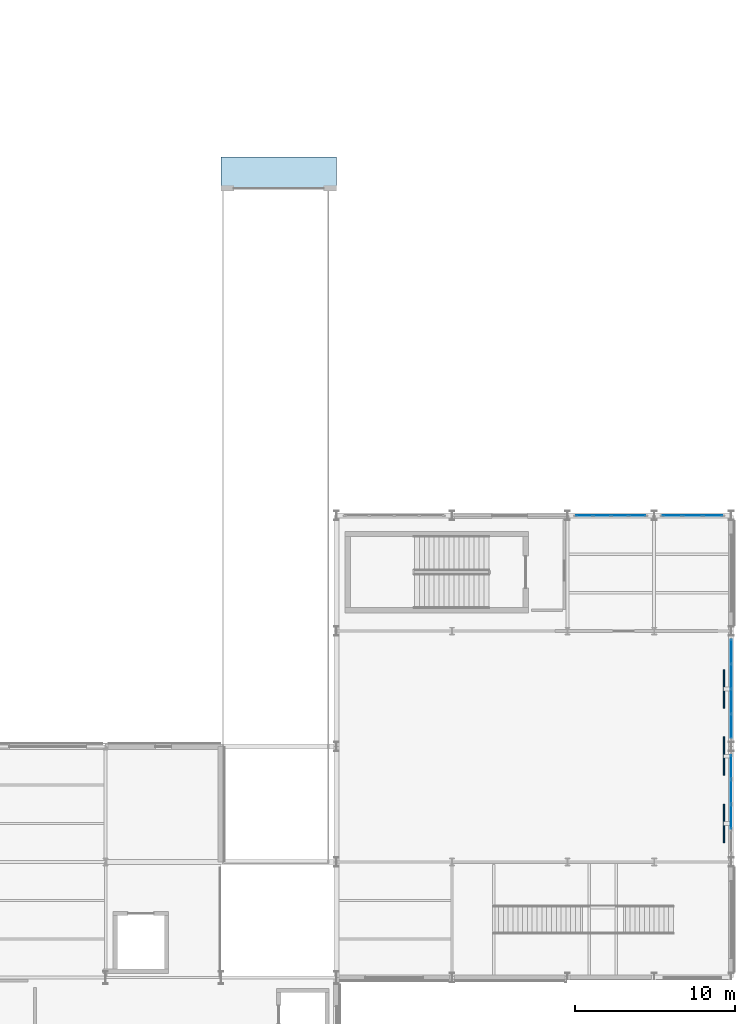
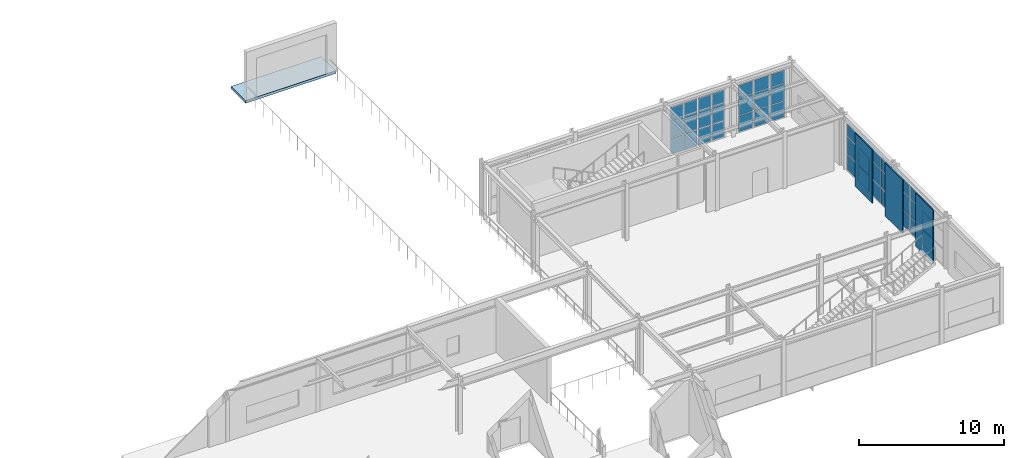
# One storey, part 54 of 83: 45 plates, 1 slab, 4 elements without a shape of their own.
"""IFC4 building model written with IfcOpenShell, lengths in metres."""

from ifc_helpers import new_model, si_unit, direction, frame, origin, origin_2d, place, context, subcontext, project, spatial, polyline, rectangle, outline, extrude, material, layer, layer_set, type_object, element, aggregate, save


model = new_model("IFC4")

# Units and contexts
model_context = context("Model", 3, precision=1e-05, world=origin(), true_north=direction((0.0, 1.0)))
body_context = subcontext(model_context, "Body", "Model", "MODEL_VIEW")
ifc_project = project(units=[si_unit("LENGTHUNIT", "METRE"), si_unit("AREAUNIT", "SQUARE_METRE"), si_unit("VOLUMEUNIT", "CUBIC_METRE"), si_unit("PLANEANGLEUNIT", "RADIAN"), si_unit("MASSUNIT", "GRAM", prefix="KILO")], contexts=[model_context])

# Site, building, storey
site_placement = place(None, origin())
site = spatial("IfcSite", under=ifc_project, at=site_placement, CompositionType="ELEMENT")
building_placement = place(site_placement, origin())
building = spatial("IfcBuilding", under=site, at=building_placement, Name="Solvadek Multi-Sports Hall", CompositionType="ELEMENT")
storey_placement = place(building_placement, origin())
storey = spatial("IfcBuildingStorey", under=building, at=storey_placement, Name="L00", CompositionType="ELEMENT", Elevation=0.0)

# Curtain wall, plates
ifc_material_1 = material(Name="Anodised aluminium", Category="aluminium")
ifc_layer_1 = layer(ifc_material_1, 0.159912109375, Name="Anodised aluminium")
ifc_layer_set_1 = layer_set([ifc_layer_1], Name="Anodised aluminium")
curtain_wall_type_1 = type_object("IfcCurtainWallType", Name="ENV-CW-444X408", PredefinedType="USERDEFINED", material=ifc_layer_set_1)
curtain_wall_1_placement = place(storey_placement, origin())
curtain_wall_1 = element("IfcCurtainWall", 1, at=curtain_wall_1_placement, inside=storey, type_object=curtain_wall_type_1, Name="L00 Perimeter Bay Curtain Wall #136", ObjectType="CURTAIN WALL", PredefinedType="USERDEFINED")
ifc_material_2 = material(Name="Tempered laminated low-E glass", Category="glass")
ifc_layer_2 = layer(ifc_material_2, 0.035888671875, Name="Tempered laminated low-E glass")
ifc_layer_set_2 = layer_set([ifc_layer_2], Name="Tempered laminated low-E glass")
plate_type_1 = type_object("IfcPlateType", Name="ENV-CWP-04", PredefinedType="CURTAIN_PANEL", material=ifc_layer_set_2)
plate_1_placement = place(storey_placement, frame((152.251220703125, 70.800048828125, 0.06494140625), z_axis=(0.0, 0.0, 1.0), x_axis=(1.0, 0.0, 0.0)))
plate_1 = element("IfcPlate", 2, at=plate_1_placement, type_object=plate_type_1, Name="CW-45 panel 1.1", PredefinedType="CURTAIN_PANEL", context=body_context, shape_type="SweptSolid", body=[
    extrude(rectangle(XDim=1.012451171875, YDim=0.035888671875, at=origin_2d()), origin(), (0.0, 0.0, 1.0), 1.32861328125),
])
plate_2_placement = place(storey_placement, frame((152.251220703125, 70.800048828125, 1.45849609375), z_axis=(0.0, 0.0, 1.0), x_axis=(1.0, 0.0, 0.0)))
plate_2 = element("IfcPlate", 3, at=plate_2_placement, type_object=plate_type_1, Name="CW-45 panel 1.2", PredefinedType="CURTAIN_PANEL", context=body_context, shape_type="SweptSolid", body=[
    extrude(rectangle(XDim=1.012451171875, YDim=0.035888671875, at=origin_2d()), origin(), (0.0, 0.0, 1.0), 1.443115234375),
])
plate_3_placement = place(storey_placement, frame((152.251220703125, 70.800048828125, 2.966552734375), z_axis=(0.0, 0.0, 1.0), x_axis=(1.0, 0.0, 0.0)))
plate_3 = element("IfcPlate", 4, at=plate_3_placement, type_object=plate_type_1, Name="CW-45 panel 1.3", PredefinedType="CURTAIN_PANEL", context=body_context, shape_type="SweptSolid", body=[
    extrude(rectangle(XDim=1.012451171875, YDim=0.035888671875, at=origin_2d()), origin(), (0.0, 0.0, 1.0), 1.04345703125),
])
plate_4_placement = place(storey_placement, frame((153.344970703125, 70.800048828125, 0.06494140625), z_axis=(0.0, 0.0, 1.0), x_axis=(1.0, 0.0, 0.0)))
plate_4 = element("IfcPlate", 5, at=plate_4_placement, type_object=plate_type_1, Name="CW-45 panel 2.1", PredefinedType="CURTAIN_PANEL", context=body_context, shape_type="SweptSolid", body=[
    extrude(rectangle(XDim=1.044921875, YDim=0.035888671875, at=origin_2d()), origin(), (0.0, 0.0, 1.0), 1.32861328125),
])
plate_5_placement = place(storey_placement, frame((153.344970703125, 70.800048828125, 1.45849609375), z_axis=(0.0, 0.0, 1.0), x_axis=(1.0, 0.0, 0.0)))
plate_5 = element("IfcPlate", 6, at=plate_5_placement, type_object=plate_type_1, Name="CW-45 panel 2.2", PredefinedType="CURTAIN_PANEL", context=body_context, shape_type="SweptSolid", body=[
    extrude(rectangle(XDim=1.044921875, YDim=0.035888671875, at=origin_2d()), origin(), (0.0, 0.0, 1.0), 1.443115234375),
])
plate_6_placement = place(storey_placement, frame((153.344970703125, 70.800048828125, 2.966552734375), z_axis=(0.0, 0.0, 1.0), x_axis=(1.0, 0.0, 0.0)))
plate_6 = element("IfcPlate", 7, at=plate_6_placement, type_object=plate_type_1, Name="CW-45 panel 2.3", PredefinedType="CURTAIN_PANEL", context=body_context, shape_type="SweptSolid", body=[
    extrude(rectangle(XDim=1.044921875, YDim=0.035888671875, at=origin_2d()), origin(), (0.0, 0.0, 1.0), 1.04345703125),
])
plate_7_placement = place(storey_placement, frame((154.455078125, 70.800048828125, 0.06494140625), z_axis=(0.0, 0.0, 1.0), x_axis=(1.0, 0.0, 0.0)))
plate_7 = element("IfcPlate", 8, at=plate_7_placement, type_object=plate_type_1, Name="CW-45 panel 3.1", PredefinedType="CURTAIN_PANEL", context=body_context, shape_type="SweptSolid", body=[
    extrude(rectangle(XDim=1.044921875, YDim=0.035888671875, at=origin_2d()), origin(), (0.0, 0.0, 1.0), 1.32861328125),
])
plate_8_placement = place(storey_placement, frame((154.455078125, 70.800048828125, 1.45849609375), z_axis=(0.0, 0.0, 1.0), x_axis=(1.0, 0.0, 0.0)))
plate_8 = element("IfcPlate", 9, at=plate_8_placement, type_object=plate_type_1, Name="CW-45 panel 3.2", PredefinedType="CURTAIN_PANEL", context=body_context, shape_type="SweptSolid", body=[
    extrude(rectangle(XDim=1.044921875, YDim=0.035888671875, at=origin_2d()), origin(), (0.0, 0.0, 1.0), 1.443115234375),
])
plate_9_placement = place(storey_placement, frame((154.455078125, 70.800048828125, 2.966552734375), z_axis=(0.0, 0.0, 1.0), x_axis=(1.0, 0.0, 0.0)))
plate_9 = element("IfcPlate", 10, at=plate_9_placement, type_object=plate_type_1, Name="CW-45 panel 3.3", PredefinedType="CURTAIN_PANEL", context=body_context, shape_type="SweptSolid", body=[
    extrude(rectangle(XDim=1.044921875, YDim=0.035888671875, at=origin_2d()), origin(), (0.0, 0.0, 1.0), 1.04345703125),
])
plate_10_placement = place(storey_placement, frame((155.548828125, 70.800048828125, 0.06494140625), z_axis=(0.0, 0.0, 1.0), x_axis=(1.0, 0.0, 0.0)))
plate_10 = element("IfcPlate", 11, at=plate_10_placement, type_object=plate_type_1, Name="CW-45 panel 4.1", PredefinedType="CURTAIN_PANEL", context=body_context, shape_type="SweptSolid", body=[
    extrude(rectangle(XDim=1.012451171875, YDim=0.035888671875, at=origin_2d()), origin(), (0.0, 0.0, 1.0), 1.32861328125),
])
plate_11_placement = place(storey_placement, frame((155.548828125, 70.800048828125, 1.45849609375), z_axis=(0.0, 0.0, 1.0), x_axis=(1.0, 0.0, 0.0)))
plate_11 = element("IfcPlate", 12, at=plate_11_placement, type_object=plate_type_1, Name="CW-45 panel 4.2", PredefinedType="CURTAIN_PANEL", context=body_context, shape_type="SweptSolid", body=[
    extrude(rectangle(XDim=1.012451171875, YDim=0.035888671875, at=origin_2d()), origin(), (0.0, 0.0, 1.0), 1.443115234375),
])
plate_12_placement = place(storey_placement, frame((155.548828125, 70.800048828125, 2.966552734375), z_axis=(0.0, 0.0, 1.0), x_axis=(1.0, 0.0, 0.0)))
plate_12 = element("IfcPlate", 13, at=plate_12_placement, type_object=plate_type_1, Name="CW-45 panel 4.3", PredefinedType="CURTAIN_PANEL", context=body_context, shape_type="SweptSolid", body=[
    extrude(rectangle(XDim=1.012451171875, YDim=0.035888671875, at=origin_2d()), origin(), (0.0, 0.0, 1.0), 1.04345703125),
])
aggregate(curtain_wall_1, [plate_1, plate_2, plate_3, plate_4, plate_5, plate_6, plate_7, plate_8, plate_9, plate_10, plate_11, plate_12])

ifc_layer_3 = layer(ifc_material_1, 0.159912109375, Name="Anodised aluminium")
ifc_layer_set_3 = layer_set([ifc_layer_3], Name="Anodised aluminium")
curtain_wall_type_2 = type_object("IfcCurtainWallType", Name="ENV-CW-384X405", PredefinedType="USERDEFINED", material=ifc_layer_set_3)
curtain_wall_2_placement = place(storey_placement, origin())
curtain_wall_2 = element("IfcCurtainWall", 14, at=curtain_wall_2_placement, inside=storey, type_object=curtain_wall_type_2, Name="L00 Perimeter Bay Curtain Wall #140", ObjectType="CURTAIN WALL", PredefinedType="USERDEFINED")
ifc_layer_4 = layer(ifc_material_2, 0.0419921875, Name="Tempered laminated low-E glass")
ifc_layer_set_4 = layer_set([ifc_layer_4], Name="Tempered laminated low-E glass")
plate_type_2 = type_object("IfcPlateType", Name="ENV-CWP-05", PredefinedType="CURTAIN_PANEL", material=ifc_layer_set_4)
plate_13_placement = place(storey_placement, frame((157.737548828125, 70.800048828125, 0.06005859375), z_axis=(0.0, 0.0, 1.0), x_axis=(1.0, 0.0, 0.0)))
plate_13 = element("IfcPlate", 15, at=plate_13_placement, type_object=plate_type_2, Name="CW-48 panel 1.1", PredefinedType="CURTAIN_PANEL", context=body_context, shape_type="SweptSolid", body=[
    extrude(rectangle(XDim=1.175048828125, YDim=0.0419921875, at=origin_2d()), origin(), (0.0, 0.0, 1.0), 1.326904296875),
])
plate_14_placement = place(storey_placement, frame((157.737548828125, 70.800048828125, 1.447021484375), z_axis=(0.0, 0.0, 1.0), x_axis=(1.0, 0.0, 0.0)))
plate_14 = element("IfcPlate", 16, at=plate_14_placement, type_object=plate_type_2, Name="CW-48 panel 1.2", PredefinedType="CURTAIN_PANEL", context=body_context, shape_type="SweptSolid", body=[
    extrude(rectangle(XDim=1.175048828125, YDim=0.0419921875, at=origin_2d()), origin(), (0.0, 0.0, 1.0), 1.43896484375),
])
plate_15_placement = place(storey_placement, frame((157.737548828125, 70.800048828125, 2.946044921875), z_axis=(0.0, 0.0, 1.0), x_axis=(1.0, 0.0, 0.0)))
plate_15 = element("IfcPlate", 17, at=plate_15_placement, type_object=plate_type_2, Name="CW-48 panel 1.3", PredefinedType="CURTAIN_PANEL", context=body_context, shape_type="SweptSolid", body=[
    extrude(rectangle(XDim=1.175048828125, YDim=0.0419921875, at=origin_2d()), origin(), (0.0, 0.0, 1.0), 1.0439453125),
])
plate_16_placement = place(storey_placement, frame((159.0, 70.800048828125, 0.06005859375), z_axis=(0.0, 0.0, 1.0), x_axis=(1.0, 0.0, 0.0)))
plate_16 = element("IfcPlate", 18, at=plate_16_placement, type_object=plate_type_2, Name="CW-48 panel 2.1", PredefinedType="CURTAIN_PANEL", context=body_context, shape_type="SweptSolid", body=[
    extrude(rectangle(XDim=1.2099609375, YDim=0.0419921875, at=origin_2d()), origin(), (0.0, 0.0, 1.0), 1.326904296875),
])
plate_17_placement = place(storey_placement, frame((159.0, 70.800048828125, 1.447021484375), z_axis=(0.0, 0.0, 1.0), x_axis=(1.0, 0.0, 0.0)))
plate_17 = element("IfcPlate", 19, at=plate_17_placement, type_object=plate_type_2, Name="CW-48 panel 2.2", PredefinedType="CURTAIN_PANEL", context=body_context, shape_type="SweptSolid", body=[
    extrude(rectangle(XDim=1.2099609375, YDim=0.0419921875, at=origin_2d()), origin(), (0.0, 0.0, 1.0), 1.43896484375),
])
plate_18_placement = place(storey_placement, frame((159.0, 70.800048828125, 2.946044921875), z_axis=(0.0, 0.0, 1.0), x_axis=(1.0, 0.0, 0.0)))
plate_18 = element("IfcPlate", 20, at=plate_18_placement, type_object=plate_type_2, Name="CW-48 panel 2.3", PredefinedType="CURTAIN_PANEL", context=body_context, shape_type="SweptSolid", body=[
    extrude(rectangle(XDim=1.2099609375, YDim=0.0419921875, at=origin_2d()), origin(), (0.0, 0.0, 1.0), 1.0439453125),
])
plate_19_placement = place(storey_placement, frame((160.262451171875, 70.800048828125, 0.06005859375), z_axis=(0.0, 0.0, 1.0), x_axis=(1.0, 0.0, 0.0)))
plate_19 = element("IfcPlate", 21, at=plate_19_placement, type_object=plate_type_2, Name="CW-48 panel 3.1", PredefinedType="CURTAIN_PANEL", context=body_context, shape_type="SweptSolid", body=[
    extrude(rectangle(XDim=1.175048828125, YDim=0.0419921875, at=origin_2d()), origin(), (0.0, 0.0, 1.0), 1.326904296875),
])
plate_20_placement = place(storey_placement, frame((160.262451171875, 70.800048828125, 1.447021484375), z_axis=(0.0, 0.0, 1.0), x_axis=(1.0, 0.0, 0.0)))
plate_20 = element("IfcPlate", 22, at=plate_20_placement, type_object=plate_type_2, Name="CW-48 panel 3.2", PredefinedType="CURTAIN_PANEL", context=body_context, shape_type="SweptSolid", body=[
    extrude(rectangle(XDim=1.175048828125, YDim=0.0419921875, at=origin_2d()), origin(), (0.0, 0.0, 1.0), 1.43896484375),
])
plate_21_placement = place(storey_placement, frame((160.262451171875, 70.800048828125, 2.946044921875), z_axis=(0.0, 0.0, 1.0), x_axis=(1.0, 0.0, 0.0)))
plate_21 = element("IfcPlate", 23, at=plate_21_placement, type_object=plate_type_2, Name="CW-48 panel 3.3", PredefinedType="CURTAIN_PANEL", context=body_context, shape_type="SweptSolid", body=[
    extrude(rectangle(XDim=1.175048828125, YDim=0.0419921875, at=origin_2d()), origin(), (0.0, 0.0, 1.0), 1.0439453125),
])
aggregate(curtain_wall_2, [plate_13, plate_14, plate_15, plate_16, plate_17, plate_18, plate_19, plate_20, plate_21])

ifc_layer_5 = layer(ifc_material_1, 0.159912109375, Name="Anodised aluminium")
ifc_layer_set_5 = layer_set([ifc_layer_5], Name="Anodised aluminium")
curtain_wall_type_3 = type_object("IfcCurtainWallType", Name="ENV-CW-624X405", PredefinedType="USERDEFINED", material=ifc_layer_set_5)
curtain_wall_3_placement = place(storey_placement, origin())
curtain_wall_3 = element("IfcCurtainWall", 24, at=curtain_wall_3_placement, inside=storey, type_object=curtain_wall_type_3, Name="L00 Perimeter Bay Curtain Wall #144", ObjectType="CURTAIN WALL", PredefinedType="USERDEFINED")
plate_22_placement = place(storey_placement, frame((161.39990234375, 52.02001953125, 0.06005859375), z_axis=(0.0, 0.0, 1.0), x_axis=(0.0, 1.0, 0.0)))
plate_22 = element("IfcPlate", 25, at=plate_22_placement, type_object=plate_type_2, Name="CW-52 panel 2.1", PredefinedType="CURTAIN_PANEL", context=body_context, shape_type="SweptSolid", body=[
    extrude(rectangle(XDim=1.489990234375, YDim=0.0419921875, at=origin_2d()), origin(), (0.0, 0.0, 1.0), 1.326904296875),
])
plate_23_placement = place(storey_placement, frame((161.39990234375, 52.02001953125, 1.447021484375), z_axis=(0.0, 0.0, 1.0), x_axis=(0.0, 1.0, 0.0)))
plate_23 = element("IfcPlate", 26, at=plate_23_placement, type_object=plate_type_2, Name="CW-52 panel 2.2", PredefinedType="CURTAIN_PANEL", context=body_context, shape_type="SweptSolid", body=[
    extrude(rectangle(XDim=1.489990234375, YDim=0.0419921875, at=origin_2d()), origin(), (0.0, 0.0, 1.0), 1.43896484375),
])
plate_24_placement = place(storey_placement, frame((161.39990234375, 52.02001953125, 2.946044921875), z_axis=(0.0, 0.0, 1.0), x_axis=(0.0, 1.0, 0.0)))
plate_24 = element("IfcPlate", 27, at=plate_24_placement, type_object=plate_type_2, Name="CW-52 panel 2.3", PredefinedType="CURTAIN_PANEL", context=body_context, shape_type="SweptSolid", body=[
    extrude(rectangle(XDim=1.489990234375, YDim=0.0419921875, at=origin_2d()), origin(), (0.0, 0.0, 1.0), 1.0439453125),
])
plate_25_placement = place(storey_placement, frame((161.39990234375, 53.580078125, 0.06005859375), z_axis=(0.0, 0.0, 1.0), x_axis=(0.0, 1.0, 0.0)))
plate_25 = element("IfcPlate", 28, at=plate_25_placement, type_object=plate_type_2, Name="CW-52 panel 3.1", PredefinedType="CURTAIN_PANEL", context=body_context, shape_type="SweptSolid", body=[
    extrude(rectangle(XDim=1.489990234375, YDim=0.0419921875, at=origin_2d()), origin(), (0.0, 0.0, 1.0), 1.326904296875),
])
plate_26_placement = place(storey_placement, frame((161.39990234375, 53.580078125, 1.447021484375), z_axis=(0.0, 0.0, 1.0), x_axis=(0.0, 1.0, 0.0)))
plate_26 = element("IfcPlate", 29, at=plate_26_placement, type_object=plate_type_2, Name="CW-52 panel 3.2", PredefinedType="CURTAIN_PANEL", context=body_context, shape_type="SweptSolid", body=[
    extrude(rectangle(XDim=1.489990234375, YDim=0.0419921875, at=origin_2d()), origin(), (0.0, 0.0, 1.0), 1.43896484375),
])
plate_27_placement = place(storey_placement, frame((161.39990234375, 53.580078125, 2.946044921875), z_axis=(0.0, 0.0, 1.0), x_axis=(0.0, 1.0, 0.0)))
plate_27 = element("IfcPlate", 30, at=plate_27_placement, type_object=plate_type_2, Name="CW-52 panel 3.3", PredefinedType="CURTAIN_PANEL", context=body_context, shape_type="SweptSolid", body=[
    extrude(rectangle(XDim=1.489990234375, YDim=0.0419921875, at=origin_2d()), origin(), (0.0, 0.0, 1.0), 1.0439453125),
])
plate_28_placement = place(storey_placement, frame((161.39990234375, 55.12255859375, 0.06005859375), z_axis=(0.0, 0.0, 1.0), x_axis=(0.0, 1.0, 0.0)))
plate_28 = element("IfcPlate", 31, at=plate_28_placement, type_object=plate_type_2, Name="CW-52 panel 4.1", PredefinedType="CURTAIN_PANEL", context=body_context, shape_type="SweptSolid", body=[
    extrude(rectangle(XDim=1.455078125, YDim=0.0419921875, at=origin_2d()), origin(), (0.0, 0.0, 1.0), 1.326904296875),
])
plate_29_placement = place(storey_placement, frame((161.39990234375, 55.12255859375, 1.447021484375), z_axis=(0.0, 0.0, 1.0), x_axis=(0.0, 1.0, 0.0)))
plate_29 = element("IfcPlate", 32, at=plate_29_placement, type_object=plate_type_2, Name="CW-52 panel 4.2", PredefinedType="CURTAIN_PANEL", context=body_context, shape_type="SweptSolid", body=[
    extrude(rectangle(XDim=1.455078125, YDim=0.0419921875, at=origin_2d()), origin(), (0.0, 0.0, 1.0), 1.43896484375),
])
plate_30_placement = place(storey_placement, frame((161.39990234375, 55.12255859375, 2.946044921875), z_axis=(0.0, 0.0, 1.0), x_axis=(0.0, 1.0, 0.0)))
plate_30 = element("IfcPlate", 33, at=plate_30_placement, type_object=plate_type_2, Name="CW-52 panel 4.3", PredefinedType="CURTAIN_PANEL", context=body_context, shape_type="SweptSolid", body=[
    extrude(rectangle(XDim=1.455078125, YDim=0.0419921875, at=origin_2d()), origin(), (0.0, 0.0, 1.0), 1.0439453125),
])
aggregate(curtain_wall_3, [plate_22, plate_23, plate_24, plate_25, plate_26, plate_27, plate_28, plate_29, plate_30])

ifc_layer_6 = layer(ifc_material_1, 0.159912109375, Name="Anodised aluminium")
ifc_layer_set_6 = layer_set([ifc_layer_6], Name="Anodised aluminium")
curtain_wall_type_4 = type_object("IfcCurtainWallType", Name="ENV-CW-624X403", PredefinedType="USERDEFINED", material=ifc_layer_set_6)
curtain_wall_4_placement = place(storey_placement, origin())
curtain_wall_4 = element("IfcCurtainWall", 34, at=curtain_wall_4_placement, inside=storey, type_object=curtain_wall_type_4, Name="L00 Perimeter Bay Curtain Wall #148", ObjectType="CURTAIN WALL", PredefinedType="USERDEFINED")
ifc_layer_7 = layer(ifc_material_2, 0.048095703125, Name="Tempered laminated low-E glass")
ifc_layer_set_7 = layer_set([ifc_layer_7], Name="Tempered laminated low-E glass")
plate_type_3 = type_object("IfcPlateType", Name="ENV-CWP-06", PredefinedType="CURTAIN_PANEL", material=ifc_layer_set_7)
plate_31_placement = place(storey_placement, frame((161.39990234375, 57.675048828125, 0.06005859375), z_axis=(0.0, 0.0, 1.0), x_axis=(0.0, 1.0, 0.0)))
plate_31 = element("IfcPlate", 35, at=plate_31_placement, type_object=plate_type_3, Name="CW-43 panel 1.1", PredefinedType="CURTAIN_PANEL", context=body_context, shape_type="SweptSolid", body=[
    extrude(rectangle(XDim=1.469970703125, YDim=0.048095703125, at=origin_2d()), origin(), (0.0, 0.0, 1.0), 1.319091796875),
])
plate_32_placement = place(storey_placement, frame((161.39990234375, 57.675048828125, 1.43896484375), z_axis=(0.0, 0.0, 1.0), x_axis=(0.0, 1.0, 0.0)))
plate_32 = element("IfcPlate", 36, at=plate_32_placement, type_object=plate_type_3, Name="CW-43 panel 1.2", PredefinedType="CURTAIN_PANEL", context=body_context, shape_type="SweptSolid", body=[
    extrude(rectangle(XDim=1.469970703125, YDim=0.048095703125, at=origin_2d()), origin(), (0.0, 0.0, 1.0), 1.428955078125),
])
plate_33_placement = place(storey_placement, frame((161.39990234375, 57.675048828125, 2.927978515625), z_axis=(0.0, 0.0, 1.0), x_axis=(0.0, 1.0, 0.0)))
plate_33 = element("IfcPlate", 37, at=plate_33_placement, type_object=plate_type_3, Name="CW-43 panel 1.3", PredefinedType="CURTAIN_PANEL", context=body_context, shape_type="SweptSolid", body=[
    extrude(rectangle(XDim=1.469970703125, YDim=0.048095703125, at=origin_2d()), origin(), (0.0, 0.0, 1.0), 1.037109375),
])
plate_34_placement = place(storey_placement, frame((161.39990234375, 59.219970703125, 0.06005859375), z_axis=(0.0, 0.0, 1.0), x_axis=(0.0, 1.0, 0.0)))
plate_34 = element("IfcPlate", 38, at=plate_34_placement, type_object=plate_type_3, Name="CW-43 panel 2.1", PredefinedType="CURTAIN_PANEL", context=body_context, shape_type="SweptSolid", body=[
    extrude(rectangle(XDim=1.5, YDim=0.048095703125, at=origin_2d()), origin(), (0.0, 0.0, 1.0), 1.319091796875),
])
plate_35_placement = place(storey_placement, frame((161.39990234375, 59.219970703125, 1.43896484375), z_axis=(0.0, 0.0, 1.0), x_axis=(0.0, 1.0, 0.0)))
plate_35 = element("IfcPlate", 39, at=plate_35_placement, type_object=plate_type_3, Name="CW-43 panel 2.2", PredefinedType="CURTAIN_PANEL", context=body_context, shape_type="SweptSolid", body=[
    extrude(rectangle(XDim=1.5, YDim=0.048095703125, at=origin_2d()), origin(), (0.0, 0.0, 1.0), 1.428955078125),
])
plate_36_placement = place(storey_placement, frame((161.39990234375, 59.219970703125, 2.927978515625), z_axis=(0.0, 0.0, 1.0), x_axis=(0.0, 1.0, 0.0)))
plate_36 = element("IfcPlate", 40, at=plate_36_placement, type_object=plate_type_3, Name="CW-43 panel 2.3", PredefinedType="CURTAIN_PANEL", context=body_context, shape_type="SweptSolid", body=[
    extrude(rectangle(XDim=1.5, YDim=0.048095703125, at=origin_2d()), origin(), (0.0, 0.0, 1.0), 1.037109375),
])
plate_37_placement = place(storey_placement, frame((161.39990234375, 60.780029296875, 0.06005859375), z_axis=(0.0, 0.0, 1.0), x_axis=(0.0, 1.0, 0.0)))
plate_37 = element("IfcPlate", 41, at=plate_37_placement, type_object=plate_type_3, Name="CW-43 panel 3.1", PredefinedType="CURTAIN_PANEL", context=body_context, shape_type="SweptSolid", body=[
    extrude(rectangle(XDim=1.5, YDim=0.048095703125, at=origin_2d()), origin(), (0.0, 0.0, 1.0), 1.319091796875),
])
plate_38_placement = place(storey_placement, frame((161.39990234375, 60.780029296875, 1.43896484375), z_axis=(0.0, 0.0, 1.0), x_axis=(0.0, 1.0, 0.0)))
plate_38 = element("IfcPlate", 42, at=plate_38_placement, type_object=plate_type_3, Name="CW-43 panel 3.2", PredefinedType="CURTAIN_PANEL", context=body_context, shape_type="SweptSolid", body=[
    extrude(rectangle(XDim=1.5, YDim=0.048095703125, at=origin_2d()), origin(), (0.0, 0.0, 1.0), 1.428955078125),
])
plate_39_placement = place(storey_placement, frame((161.39990234375, 60.780029296875, 2.927978515625), z_axis=(0.0, 0.0, 1.0), x_axis=(0.0, 1.0, 0.0)))
plate_39 = element("IfcPlate", 43, at=plate_39_placement, type_object=plate_type_3, Name="CW-43 panel 3.3", PredefinedType="CURTAIN_PANEL", context=body_context, shape_type="SweptSolid", body=[
    extrude(rectangle(XDim=1.5, YDim=0.048095703125, at=origin_2d()), origin(), (0.0, 0.0, 1.0), 1.037109375),
])
plate_40_placement = place(storey_placement, frame((161.39990234375, 62.324951171875, 0.06005859375), z_axis=(0.0, 0.0, 1.0), x_axis=(0.0, 1.0, 0.0)))
plate_40 = element("IfcPlate", 44, at=plate_40_placement, type_object=plate_type_3, Name="CW-43 panel 4.1", PredefinedType="CURTAIN_PANEL", context=body_context, shape_type="SweptSolid", body=[
    extrude(rectangle(XDim=1.469970703125, YDim=0.048095703125, at=origin_2d()), origin(), (0.0, 0.0, 1.0), 1.319091796875),
])
plate_41_placement = place(storey_placement, frame((161.39990234375, 62.324951171875, 1.43896484375), z_axis=(0.0, 0.0, 1.0), x_axis=(0.0, 1.0, 0.0)))
plate_41 = element("IfcPlate", 45, at=plate_41_placement, type_object=plate_type_3, Name="CW-43 panel 4.2", PredefinedType="CURTAIN_PANEL", context=body_context, shape_type="SweptSolid", body=[
    extrude(rectangle(XDim=1.469970703125, YDim=0.048095703125, at=origin_2d()), origin(), (0.0, 0.0, 1.0), 1.428955078125),
])
plate_42_placement = place(storey_placement, frame((161.39990234375, 62.324951171875, 2.927978515625), z_axis=(0.0, 0.0, 1.0), x_axis=(0.0, 1.0, 0.0)))
plate_42 = element("IfcPlate", 46, at=plate_42_placement, type_object=plate_type_3, Name="CW-43 panel 4.3", PredefinedType="CURTAIN_PANEL", context=body_context, shape_type="SweptSolid", body=[
    extrude(rectangle(XDim=1.469970703125, YDim=0.048095703125, at=origin_2d()), origin(), (0.0, 0.0, 1.0), 1.037109375),
])
aggregate(curtain_wall_4, [plate_31, plate_32, plate_33, plate_34, plate_35, plate_36, plate_37, plate_38, plate_39, plate_40, plate_41, plate_42])

# Plates
ifc_material_3 = material(Name="Teak hardwood timber", Category="wood")
ifc_layer_8 = layer(ifc_material_3, 0.080078125, Name="Teak hardwood timber")
ifc_layer_set_8 = layer_set([ifc_layer_8], Name="Teak hardwood timber")
plate_type_4 = type_object("IfcPlateType", Name="ENV-SHT-CLB1", PredefinedType="SHEET", material=ifc_layer_set_8)
for number, where, z_axis, x_axis, name in (
    (47, (160.949951171875, 51.60009765625, 0.0), (0.0, 0.0, 1.0), (0.0, 1.0, 0.0), "Bouldering and Lead Timber Climbing Panel #1"),
    (48, (160.949951171875, 55.800048828125, 0.0), (0.0, 0.0, 1.0), (0.0, 1.0, 0.0), "Bouldering and Lead Timber Climbing Panel #2"),
    (49, (160.949951171875, 60.0, 0.0), (0.0, 0.0, 1.0), (0.0, 1.0, 0.0), "Bouldering and Lead Timber Climbing Panel #3"),
):
    element("IfcPlate", number, at=place(storey_placement, frame(where, z_axis=z_axis, x_axis=x_axis)), inside=storey, type_object=plate_type_4, Name=name, PredefinedType="SHEET", context=body_context, shape_type="SweptSolid", body=[
        extrude(rectangle(XDim=2.39990234375, YDim=0.080078125, at=origin_2d()), origin(), (0.0, 0.0, 1.0), 4.5),
    ])

# Slab
ifc_material_4 = material(Name="Concrete M35", Category="concrete")
ifc_layer_9 = layer(ifc_material_4, 0.219970703125, Name="Concrete M35")
ifc_layer_set_9 = layer_set([ifc_layer_9], Name="Concrete M35")
slab_type = type_object("IfcSlabType", Name="STR-SLB-APP220", PredefinedType="USERDEFINED", material=ifc_layer_set_9)
slab_placement = place(storey_placement, frame((0.0, 0.0, -0.219970703125)))
element("IfcSlab", 50, at=slab_placement, inside=storey, type_object=slab_type, Name="L00 Exterior Approach Apron #50", ObjectType="APPROACH_SLAB", PredefinedType="USERDEFINED", context=body_context, shape_type="SweptSolid", body=[
    extrude(outline(polyline([(129.60009765625, 93.14990234375), (136.800048828125, 93.14990234375), (136.800048828125, 91.14990234375), (129.60009765625, 91.14990234375), (129.60009765625, 93.14990234375)])), origin(), (0.0, 0.0, 1.0), 0.219970703125),
])

save(model, "model.ifc")
